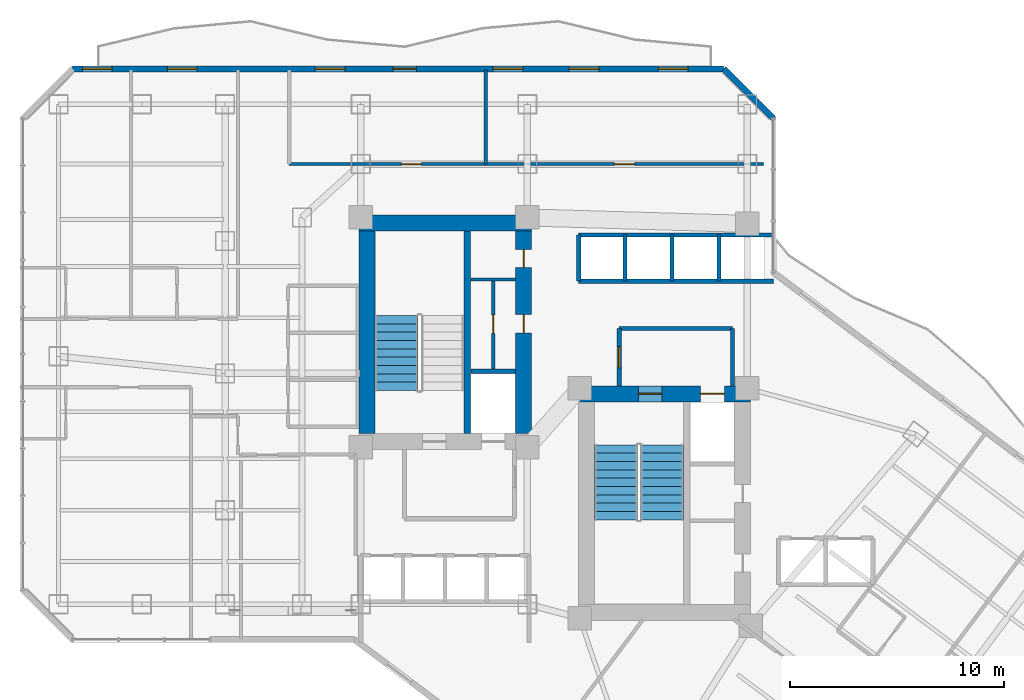
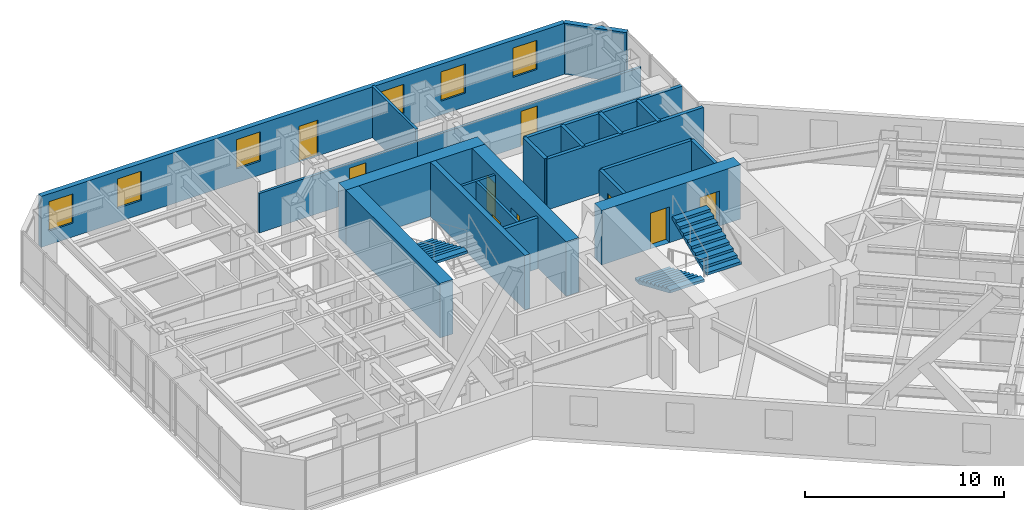
# One storey, part 25 of 30: 22 walls, 9 doors, 6 windows, 3 stair flights, 15 openings, 2 elements without a shape of their own.
"""IFC4 building model written with IfcOpenShell, lengths in metres."""

from ifc_helpers import new_model, si_unit, direction, frame, frame_2d, origin, place, context, subcontext, project, spatial, polyline, rectangle, outline, extrude, material, layer, layer_set, type_object, element, fill, aggregate, save


model = new_model("IFC4")

# Units and contexts
model_context = context("Model", 3, precision=1e-05, world=origin(), true_north=direction((0.0, 1.0)))
body_context = subcontext(model_context, "Body", "Model", "MODEL_VIEW")
ifc_project = project(units=[si_unit("LENGTHUNIT", "METRE"), si_unit("AREAUNIT", "SQUARE_METRE"), si_unit("VOLUMEUNIT", "CUBIC_METRE"), si_unit("PLANEANGLEUNIT", "RADIAN"), si_unit("MASSUNIT", "GRAM", prefix="KILO")], contexts=[model_context])

# Site, building, storey
site_placement = place(None, origin())
site = spatial("IfcSite", under=ifc_project, at=site_placement, CompositionType="ELEMENT")
building_placement = place(site_placement, origin())
building = spatial("IfcBuilding", under=site, at=building_placement, Name="Hatsunagi Terrace Concourse", CompositionType="ELEMENT")
storey_placement = place(building_placement, frame((0.0, 0.0, 74.60009765625)))
storey = spatial("IfcBuildingStorey", under=building, at=storey_placement, Name="L19", CompositionType="ELEMENT", Elevation=74.60009765625)

# Walls
ifc_material_1 = material(Name="Concrete Fc60", Category="concrete")
ifc_layer_1 = layer(ifc_material_1, 0.75)
ifc_layer_set_1 = layer_set([ifc_layer_1], Name="CoreShearWall_Fc60_750")
wall_type_1 = type_object("IfcWallType", Name="CoreShearWall_Fc60_750", PredefinedType="SHEAR", material=ifc_layer_set_1)
wall_1_placement = place(storey_placement, frame((25.469970703125, 43.044921875, 0.0), z_axis=(0.0, 0.0, 1.0), x_axis=(1.0, 0.0, 0.0)))
element("IfcWall", 1, at=wall_1_placement, inside=storey, type_object=wall_type_1, Name="Core A Shear Wall N L19", PredefinedType="SHEAR", context=body_context, shape_type="SweptSolid", body=[
    extrude(rectangle(XDim=8.080078125, YDim=0.75, at=frame_2d((4.0400390625, 0.0))), origin(), (0.0, 0.0, 1.0), 3.349853515625),
])
wall_2_placement = place(storey_placement, frame((25.844970703125, 33.18994140625, 0.0), z_axis=(0.0, 0.0, 1.0), x_axis=(0.0, 1.0, 0.0)))
element("IfcWall", 2, at=wall_2_placement, inside=storey, type_object=wall_type_1, Name="Core A Shear Wall W L19", PredefinedType="SHEAR", context=body_context, shape_type="SweptSolid", body=[
    extrude(rectangle(XDim=9.47998046875, YDim=0.75, at=frame_2d((4.739990234375, 0.0))), origin(), (0.0, 0.0, 1.0), 3.349853515625),
])

# Wall, openings, doors
wall_3_placement = place(storey_placement, frame((33.175048828125, 33.18994140625, 0.0), z_axis=(0.0, 0.0, 1.0), x_axis=(0.0, 1.0, 0.0)))
wall_3 = element("IfcWall", 3, at=wall_3_placement, inside=storey, type_object=wall_type_1, Name="Core A Shear Wall E L19", PredefinedType="SHEAR", context=body_context, shape_type="SweptSolid", body=[
    extrude(rectangle(XDim=9.47998046875, YDim=0.75, at=frame_2d((4.739990234375, 0.0))), origin(), (0.0, 0.0, 1.0), 3.349853515625),
])
opening_1_placement = place(wall_3_placement, frame((4.7099609375, 0.0, 0.0)))
opening_1 = element("IfcOpeningElement", 4, at=opening_1_placement, cuts=wall_3, Name="Opening DR-085", PredefinedType="OPENING", context=body_context, shape_type="SweptSolid", body=[
    extrude(rectangle(XDim=0.85009765625, YDim=2.080078125, at=frame_2d((0.425048828125, 1.0400390625))), frame((0.0, 0.385009765625, 0.0), z_axis=(0.0, -1.0, 0.0), x_axis=(1.0, 0.0, 0.0)), (0.0, 0.0, 1.0), 0.77001953125),
])
opening_2_placement = place(wall_3_placement, frame((7.760009765625, 0.0, 0.0)))
opening_2 = element("IfcOpeningElement", 5, at=opening_2_placement, cuts=wall_3, Name="Opening DR-085", PredefinedType="OPENING", context=body_context, shape_type="SweptSolid", body=[
    extrude(rectangle(XDim=0.85009765625, YDim=2.080078125, at=frame_2d((0.425048828125, 1.0400390625))), frame((0.0, 0.385009765625, 0.0), z_axis=(0.0, -1.0, 0.0), x_axis=(1.0, 0.0, 0.0)), (0.0, 0.0, 1.0), 0.77001953125),
])
ifc_material_2 = material(Name="Painted steel", Category="steel")
door_type_1 = type_object("IfcDoorType", Name="RiserAccessDoor_EI60_850", OperationType="NOTDEFINED", PredefinedType="DOOR", material=ifc_material_2)
door_1_placement = place(opening_1_placement, origin())
door_1 = element("IfcDoor", 6, at=door_1_placement, inside=storey, type_object=door_type_1, Name="Core A Riser Door L19-1", OperationType="SINGLE_SWING_LEFT", OverallHeight=2.080078125, OverallWidth=0.85009765625, PredefinedType="DOOR", context=body_context, shape_type="SweptSolid", body=[
    extrude(rectangle(XDim=0.85009765625, YDim=2.080078125, at=frame_2d((0.425048828125, 1.0400390625))), frame((0.0, 0.02490234375, 0.0), z_axis=(0.0, -1.0, 0.0), x_axis=(1.0, 0.0, 0.0)), (0.0, 0.0, 1.0), 0.050048828125),
])
fill(opening_1, door_1)
door_2_placement = place(opening_2_placement, origin())
door_2 = element("IfcDoor", 7, at=door_2_placement, inside=storey, type_object=door_type_1, Name="Core A Riser Door L19-2", OperationType="SINGLE_SWING_LEFT", OverallHeight=2.080078125, OverallWidth=0.85009765625, PredefinedType="DOOR", context=body_context, shape_type="SweptSolid", body=[
    extrude(rectangle(XDim=0.85009765625, YDim=2.080078125, at=frame_2d((0.425048828125, 1.0400390625))), frame((0.0, 0.02490234375, 0.0), z_axis=(0.0, -1.0, 0.0), x_axis=(1.0, 0.0, 0.0)), (0.0, 0.0, 1.0), 0.050048828125),
])
fill(opening_2, door_2)

wall_4_placement = place(storey_placement, frame((35.739990234375, 35.044921875, 0.0), z_axis=(0.0, 0.0, 1.0), x_axis=(1.0, 0.0, 0.0)))
wall_4 = element("IfcWall", 8, at=wall_4_placement, inside=storey, type_object=wall_type_1, Name="Core B Shear Wall N L19", PredefinedType="SHEAR", context=body_context, shape_type="SweptSolid", body=[
    extrude(rectangle(XDim=8.06005859375, YDim=0.75, at=frame_2d((4.030029296875, 0.0))), origin(), (0.0, 0.0, 1.0), 3.349853515625),
])
opening_3_placement = place(wall_4_placement, frame((2.81005859375, 0.0, 0.0)))
opening_3 = element("IfcOpeningElement", 9, at=opening_3_placement, cuts=wall_4, Name="Opening DR-110S", PredefinedType="OPENING", context=body_context, shape_type="SweptSolid", body=[
    extrude(rectangle(XDim=1.10009765625, YDim=2.199951171875, at=frame_2d((0.550048828125, 1.10009765625))), frame((0.0, 0.385009765625, 0.0), z_axis=(0.0, -1.0, 0.0), x_axis=(1.0, 0.0, 0.0)), (0.0, 0.0, 1.0), 0.77001953125),
])
opening_4_placement = place(wall_4_placement, frame((5.7099609375, 0.0, 0.0)))
opening_4 = element("IfcOpeningElement", 10, at=opening_4_placement, cuts=wall_4, Name="Opening LD-02", PredefinedType="OPENING", context=body_context, shape_type="SweptSolid", body=[
    extrude(rectangle(XDim=1.1201171875, YDim=2.14990234375, at=frame_2d((0.56005859375, 1.074951171875))), frame((0.0, 0.385009765625, 0.0), z_axis=(0.0, -1.0, 0.0), x_axis=(1.0, 0.0, 0.0)), (0.0, 0.0, 1.0), 0.77001953125),
])
ifc_material_3 = material(Name="Stainless steel", Category="steel")
door_type_2 = type_object("IfcDoorType", Name="LiftLandingDoor_LD02", OperationType="SLIDING_TO_RIGHT", PredefinedType="USERDEFINED", material=ifc_material_3)
door_3_placement = place(opening_4_placement, origin())
door_3 = element("IfcDoor", 11, at=door_3_placement, inside=storey, type_object=door_type_2, Name="Lift landing door FF-02 L19", ObjectType="SLIDING_LANDING_DOOR", OperationType="SLIDING_TO_RIGHT", OverallHeight=2.14990234375, OverallWidth=1.1201171875, PredefinedType="USERDEFINED", context=body_context, shape_type="SweptSolid", body=[
    extrude(rectangle(XDim=1.1201171875, YDim=2.14990234375, at=frame_2d((0.56005859375, 1.074951171875))), frame((0.0, 0.02490234375, 0.0), z_axis=(0.0, -1.0, 0.0), x_axis=(1.0, 0.0, 0.0)), (0.0, 0.0, 1.0), 0.050048828125),
])
fill(opening_4, door_3)
ifc_material_4 = material(Name="Painted steel", Category="steel")
door_type_3 = type_object("IfcDoorType", Name="StairFireDoor_EI60_1100", OperationType="NOTDEFINED", PredefinedType="DOOR", material=ifc_material_4)
door_4_placement = place(opening_3_placement, origin())
door_4 = element("IfcDoor", 12, at=door_4_placement, inside=storey, type_object=door_type_3, Name="Stair ST-B Exit Door L19", OperationType="SINGLE_SWING_RIGHT", OverallHeight=2.199951171875, OverallWidth=1.10009765625, PredefinedType="DOOR", context=body_context, shape_type="SweptSolid", body=[
    extrude(rectangle(XDim=1.10009765625, YDim=2.199951171875, at=frame_2d((0.550048828125, 1.10009765625))), frame((0.0, 0.02490234375, 0.0), z_axis=(0.0, -1.0, 0.0), x_axis=(1.0, 0.0, 0.0)), (0.0, 0.0, 1.0), 0.050048828125),
])
fill(opening_3, door_4)

# Wall
ifc_material_5 = material(Name="Concrete Fc48", Category="concrete")
ifc_layer_2 = layer(ifc_material_5, 0.300048828125)
ifc_layer_set_2 = layer_set([ifc_layer_2], Name="CoreStairDivider_Fc48_300")
wall_type_2 = type_object("IfcWallType", Name="CoreStairDivider_Fc48_300", PredefinedType="SHEAR", material=ifc_layer_set_2)
wall_5_placement = place(storey_placement, frame((30.5400390625, 33.18994140625, 0.0), z_axis=(0.0, 0.0, 1.0), x_axis=(0.0, 1.0, 0.0)))
element("IfcWall", 13, at=wall_5_placement, inside=storey, type_object=wall_type_2, Name="Core A Shear Wall D L19", PredefinedType="SHEAR", context=body_context, shape_type="SweptSolid", body=[
    extrude(rectangle(XDim=9.47998046875, YDim=0.300048828125, at=frame_2d((4.739990234375, 0.0))), origin(), (0.0, 0.0, 1.0), 3.349853515625),
])

# Wall, opening, door
ifc_material_6 = material(Name="Acoustic mineral board", Category="gypsum")
ifc_layer_3 = layer(ifc_material_6, 0.14990234375)
ifc_layer_set_3 = layer_set([ifc_layer_3], Name="PartitionWall_EI60_150")
wall_type_3 = type_object("IfcWallType", Name="PartitionWall_EI60_150", PredefinedType="PARTITIONING", material=ifc_layer_set_3)
wall_6_placement = place(storey_placement, frame((31.75, 36.179931640625, 0.0), z_axis=(0.0, 0.0, 1.0), x_axis=(0.0, 1.0, 0.0)))
wall_6 = element("IfcWall", 14, at=wall_6_placement, inside=storey, type_object=wall_type_3, Name="Interior Partition IW-L19-002", PredefinedType="PARTITIONING", context=body_context, shape_type="SweptSolid", body=[
    extrude(rectangle(XDim=4.239990234375, YDim=0.14990234375, at=frame_2d((2.1201171875, 0.0))), origin(), (0.0, 0.0, 1.0), 3.1298828125),
])
opening_5_placement = place(wall_6_placement, frame((1.695068359375, 0.0, 0.0)))
opening_5 = element("IfcOpeningElement", 15, at=opening_5_placement, cuts=wall_6, Name="Opening DR-085", PredefinedType="OPENING", context=body_context, shape_type="SweptSolid", body=[
    extrude(rectangle(XDim=0.85009765625, YDim=2.080078125, at=frame_2d((0.425048828125, 1.0400390625))), frame((0.0, 0.0849609375, 0.0), z_axis=(0.0, -1.0, 0.0), x_axis=(1.0, 0.0, 0.0)), (0.0, 0.0, 1.0), 0.169921875),
])
door_5_placement = place(opening_5_placement, origin())
door_5 = element("IfcDoor", 16, at=door_5_placement, inside=storey, type_object=door_type_1, Name="Core A Sub-Riser Door L19", OperationType="SINGLE_SWING_LEFT", OverallHeight=2.080078125, OverallWidth=0.85009765625, PredefinedType="DOOR", context=body_context, shape_type="SweptSolid", body=[
    extrude(rectangle(XDim=0.85009765625, YDim=2.080078125, at=frame_2d((0.425048828125, 1.0400390625))), frame((0.0, 0.02490234375, 0.0), z_axis=(0.0, -1.0, 0.0), x_axis=(1.0, 0.0, 0.0)), (0.0, 0.0, 1.0), 0.050048828125),
])
fill(opening_5, door_5)

# Wall
wall_7_placement = place(storey_placement, frame((30.699951171875, 40.39990234375, 0.0), z_axis=(0.0, 0.0, 1.0), x_axis=(1.0, 0.0, 0.0)))
element("IfcWall", 17, at=wall_7_placement, inside=storey, type_object=wall_type_3, Name="Interior Partition IW-L19-003", PredefinedType="PARTITIONING", context=body_context, shape_type="SweptSolid", body=[
    extrude(rectangle(XDim=2.10009765625, YDim=0.14990234375, at=frame_2d((1.050048828125, 0.0))), origin(), (0.0, 0.0, 1.0), 3.1298828125),
])

# Wall, opening, door
wall_8_placement = place(storey_placement, frame((22.199951171875, 45.800048828125, 0.0), z_axis=(0.0, 0.0, 1.0), x_axis=(1.0, 0.0, 0.0)))
wall_8 = element("IfcWall", 18, at=wall_8_placement, inside=storey, type_object=wall_type_3, Name="Interior Partition IW-L19-038", PredefinedType="PARTITIONING", context=body_context, shape_type="SweptSolid", body=[
    extrude(rectangle(XDim=9.199951171875, YDim=0.14990234375, at=frame_2d((4.60009765625, 0.0))), origin(), (0.0, 0.0, 1.0), 2.4248046875),
])
opening_6_placement = place(wall_8_placement, frame((5.248046875, 0.0, 0.0)))
opening_6 = element("IfcOpeningElement", 19, at=opening_6_placement, cuts=wall_8, Name="Opening DR-095", PredefinedType="OPENING", context=body_context, shape_type="SweptSolid", body=[
    extrude(rectangle(XDim=0.949951171875, YDim=2.14990234375, at=frame_2d((0.47509765625, 1.074951171875))), frame((0.0, 0.0849609375, 0.0), z_axis=(0.0, -1.0, 0.0), x_axis=(1.0, 0.0, 0.0)), (0.0, 0.0, 1.0), 0.169921875),
])
ifc_material_7 = material(Name="Hardwood timber", Category="wood")
door_type_4 = type_object("IfcDoorType", Name="InteriorSuiteDoor_EI30_950", OperationType="NOTDEFINED", PredefinedType="DOOR", material=ifc_material_7)
door_6_placement = place(opening_6_placement, origin())
door_6 = element("IfcDoor", 20, at=door_6_placement, inside=storey, type_object=door_type_4, Name="Housekeeping Linen Room L19-HLIN Door", OperationType="SINGLE_SWING_LEFT", OverallHeight=2.14990234375, OverallWidth=0.949951171875, PredefinedType="DOOR", context=body_context, shape_type="SweptSolid", body=[
    extrude(rectangle(XDim=0.949951171875, YDim=2.14990234375, at=frame_2d((0.47509765625, 1.074951171875))), frame((0.0, 0.02490234375, 0.0), z_axis=(0.0, -1.0, 0.0), x_axis=(1.0, 0.0, 0.0)), (0.0, 0.0, 1.0), 0.050048828125),
])
fill(opening_6, door_6)

# Wall
wall_9_placement = place(storey_placement, frame((31.39990234375, 45.800048828125, 0.0), z_axis=(0.0, 0.0, 1.0), x_axis=(0.0, 1.0, 0.0)))
element("IfcWall", 21, at=wall_9_placement, inside=storey, type_object=wall_type_3, Name="Interior Partition IW-L19-040", PredefinedType="PARTITIONING", context=body_context, shape_type="SweptSolid", body=[
    extrude(rectangle(XDim=4.39990234375, YDim=0.14990234375, at=frame_2d((2.199951171875, 0.0))), origin(), (0.0, 0.0, 1.0), 3.1298828125),
])

# Wall, opening, door
wall_10_placement = place(storey_placement, frame((31.39990234375, 45.800048828125, 0.0), z_axis=(0.0, 0.0, 1.0), x_axis=(1.0, 0.0, 0.0)))
wall_10 = element("IfcWall", 22, at=wall_10_placement, inside=storey, type_object=wall_type_3, Name="Interior Partition IW-L19-041", PredefinedType="PARTITIONING", context=body_context, shape_type="SweptSolid", body=[
    extrude(rectangle(XDim=13.0, YDim=0.14990234375, at=frame_2d((6.5, 0.0))), origin(), (0.0, 0.0, 1.0), 2.4248046875),
])
opening_7_placement = place(wall_10_placement, frame((6.02490234375, 0.0, 0.0)))
opening_7 = element("IfcOpeningElement", 23, at=opening_7_placement, cuts=wall_10, Name="Opening DR-095", PredefinedType="OPENING", context=body_context, shape_type="SweptSolid", body=[
    extrude(rectangle(XDim=0.949951171875, YDim=2.14990234375, at=frame_2d((0.47509765625, 1.074951171875))), frame((0.0, 0.0849609375, 0.0), z_axis=(0.0, -1.0, 0.0), x_axis=(1.0, 0.0, 0.0)), (0.0, 0.0, 1.0), 0.169921875),
])
door_7_placement = place(opening_7_placement, origin())
door_7 = element("IfcDoor", 24, at=door_7_placement, inside=storey, type_object=door_type_4, Name="VIP Lounge L19-HLNG Door", OperationType="SINGLE_SWING_LEFT", OverallHeight=2.14990234375, OverallWidth=0.949951171875, PredefinedType="DOOR", context=body_context, shape_type="SweptSolid", body=[
    extrude(rectangle(XDim=0.949951171875, YDim=2.14990234375, at=frame_2d((0.47509765625, 1.074951171875))), frame((0.0, 0.02490234375, 0.0), z_axis=(0.0, -1.0, 0.0), x_axis=(1.0, 0.0, 0.0)), (0.0, 0.0, 1.0), 0.050048828125),
])
fill(opening_7, door_7)

# Walls
ifc_material_8 = material(Name="Acoustic mineral board", Category="gypsum")
ifc_layer_4 = layer(ifc_material_8, 0.199951171875)
ifc_layer_set_4 = layer_set([ifc_layer_4], Name="ShaftWall_EI120_200")
wall_type_4 = type_object("IfcWallType", Name="ShaftWall_EI120_200", PredefinedType="STANDARD", material=ifc_layer_set_4)
wall_11_placement = place(storey_placement, frame((30.699951171875, 36.10009765625, 0.0), z_axis=(0.0, 0.0, 1.0), x_axis=(1.0, 0.0, 0.0)))
element("IfcWall", 25, at=wall_11_placement, inside=storey, type_object=wall_type_4, Name="Interior Partition IW-L19-001", PredefinedType="STANDARD", context=body_context, shape_type="SweptSolid", body=[
    extrude(rectangle(XDim=2.10009765625, YDim=0.199951171875, at=frame_2d((1.050048828125, 0.0))), origin(), (0.0, 0.0, 1.0), 3.1298828125),
])
wall_12_placement = place(storey_placement, frame((37.64990234375, 38.10009765625, 0.0), z_axis=(0.0, 0.0, 1.0), x_axis=(1.0, 0.0, 0.0)))
element("IfcWall", 26, at=wall_12_placement, inside=storey, type_object=wall_type_4, Name="Interior Partition IW-L19-009", PredefinedType="STANDARD", context=body_context, shape_type="SweptSolid", body=[
    extrude(rectangle(XDim=5.300048828125, YDim=0.199951171875, at=frame_2d((2.64990234375, 0.0))), origin(), (0.0, 0.0, 1.0), 3.1298828125),
])
wall_13_placement = place(storey_placement, frame((42.949951171875, 35.419921875, 0.0), z_axis=(0.0, 0.0, 1.0), x_axis=(0.0, 1.0, 0.0)))
element("IfcWall", 27, at=wall_13_placement, inside=storey, type_object=wall_type_4, Name="Interior Partition IW-L19-010", PredefinedType="STANDARD", context=body_context, shape_type="SweptSolid", body=[
    extrude(rectangle(XDim=2.68017578125, YDim=0.199951171875, at=frame_2d((1.340087890625, 0.0))), origin(), (0.0, 0.0, 1.0), 3.1298828125),
])

# Wall, opening, door
wall_14_placement = place(storey_placement, frame((37.64990234375, 35.419921875, 0.0), z_axis=(0.0, 0.0, 1.0), x_axis=(0.0, 1.0, 0.0)))
wall_14 = element("IfcWall", 28, at=wall_14_placement, inside=storey, type_object=wall_type_4, Name="Interior Partition IW-L19-011", PredefinedType="STANDARD", context=body_context, shape_type="SweptSolid", body=[
    extrude(rectangle(XDim=2.68017578125, YDim=0.199951171875, at=frame_2d((1.340087890625, 0.0))), origin(), (0.0, 0.0, 1.0), 3.1298828125),
])
opening_8_placement = place(wall_14_placement, frame((0.840087890625, 0.0, 0.0)))
opening_8 = element("IfcOpeningElement", 29, at=opening_8_placement, cuts=wall_14, Name="Opening DR-100F", PredefinedType="OPENING", context=body_context, shape_type="SweptSolid", body=[
    extrude(rectangle(XDim=1.0, YDim=2.199951171875, at=frame_2d((0.5, 1.10009765625))), frame((0.0, 0.10986328125, 0.0), z_axis=(0.0, -1.0, 0.0), x_axis=(1.0, 0.0, 0.0)), (0.0, 0.0, 1.0), 0.219970703125),
])
ifc_material_9 = material(Name="Painted steel", Category="steel")
door_type_5 = type_object("IfcDoorType", Name="FireDoor_EI60_1000", OperationType="NOTDEFINED", PredefinedType="DOOR", material=ifc_material_9)
door_8_placement = place(opening_8_placement, origin())
door_8 = element("IfcDoor", 30, at=door_8_placement, inside=storey, type_object=door_type_5, Name="Firefighting Lobby B Door L19", OperationType="SINGLE_SWING_RIGHT", OverallHeight=2.199951171875, OverallWidth=1.0, PredefinedType="DOOR", context=body_context, shape_type="SweptSolid", body=[
    extrude(rectangle(XDim=1.0, YDim=2.199951171875, at=frame_2d((0.5, 1.10009765625))), frame((0.0, 0.02490234375, 0.0), z_axis=(0.0, -1.0, 0.0), x_axis=(1.0, 0.0, 0.0)), (0.0, 0.0, 1.0), 0.050048828125),
])
fill(opening_8, door_8)

# Walls
wall_15_placement = place(storey_placement, frame((35.75, 42.47998046875, 0.0), z_axis=(0.0, 0.0, 1.0), x_axis=(1.0, 0.0, 0.0)))
element("IfcWall", 31, at=wall_15_placement, inside=storey, type_object=wall_type_4, Name="Interior Partition IW-L19-019", PredefinedType="STANDARD", context=body_context, shape_type="SweptSolid", body=[
    extrude(rectangle(XDim=9.110107421875, YDim=0.199951171875, at=frame_2d((4.55517578125, 0.0))), origin(), (0.0, 0.0, 1.0), 3.1298828125),
])
for number, where, z_axis, x_axis, name in (
    (32, (35.75, 40.320068359375, 0.0), (0.0, 0.0, 1.0), (0.0, 1.0, 0.0), "Interior Partition IW-L19-020"),
    (33, (37.919921875, 40.320068359375, 0.0), (0.0, 0.0, 1.0), (0.0, 1.0, 0.0), "Interior Partition IW-L19-021"),
    (34, (40.1201171875, 40.320068359375, 0.0), (0.0, 0.0, 1.0), (0.0, 1.0, 0.0), "Interior Partition IW-L19-022"),
    (35, (42.320068359375, 40.320068359375, 0.0), (0.0, 0.0, 1.0), (0.0, 1.0, 0.0), "Interior Partition IW-L19-023"),
):
    element("IfcWall", number, at=place(storey_placement, frame(where, z_axis=z_axis, x_axis=x_axis)), inside=storey, type_object=wall_type_4, Name=name, PredefinedType="STANDARD", context=body_context, shape_type="SweptSolid", body=[
        extrude(rectangle(XDim=2.159912109375, YDim=0.199951171875, at=frame_2d((1.080078125, 0.0))), origin(), (0.0, 0.0, 1.0), 3.1298828125),
    ])
wall_16_placement = place(storey_placement, frame((35.75, 40.320068359375, 0.0), z_axis=(0.0, 0.0, 1.0), x_axis=(1.0, 0.0, 0.0)))
element("IfcWall", 36, at=wall_16_placement, inside=storey, type_object=wall_type_4, Name="Interior Partition IW-L19-024", PredefinedType="STANDARD", context=body_context, shape_type="SweptSolid", body=[
    extrude(rectangle(XDim=9.110107421875, YDim=0.199951171875, at=frame_2d((4.55517578125, 0.0))), origin(), (0.0, 0.0, 1.0), 3.1298828125),
])

# Wall, openings, door, windows
ifc_material_10 = material(Name="Autoclaved Lightweight Concrete and Terracotta Cladding", Category="masonry")
ifc_layer_5 = layer(ifc_material_10, 0.280029296875)
ifc_layer_set_5 = layer_set([ifc_layer_5], Name="TerracottaSpandrelWall_280")
wall_type_5 = type_object("IfcWallType", Name="TerracottaSpandrelWall_280", PredefinedType="STANDARD", material=ifc_layer_set_5)
wall_17_placement = place(storey_placement, frame((12.05810546875, 50.260009765625, 0.0), z_axis=(0.0, 0.0, 1.0), x_axis=(1.0, 0.0, 0.0)))
wall_17 = element("IfcWall", 37, at=wall_17_placement, inside=storey, type_object=wall_type_5, Name="Exterior Spandrel Wall EW-L19-11", PredefinedType="STANDARD", context=body_context, shape_type="SweptSolid", body=[
    extrude(rectangle(XDim=30.48388671875, YDim=0.280029296875, at=frame_2d((15.241943359375, 0.0))), origin(), (0.0, 0.0, 1.0), 3.1298828125),
])
opening_9_placement = place(wall_17_placement, frame((14.991943359375, 0.0, 0.0)))
opening_9 = element("IfcOpeningElement", 38, at=opening_9_placement, cuts=wall_17, Name="Opening BD-01", PredefinedType="OPENING", context=body_context, shape_type="SweptSolid", body=[
    extrude(rectangle(XDim=1.10009765625, YDim=2.199951171875, at=frame_2d((0.550048828125, 1.10009765625))), frame((0.0, 0.14990234375, 0.0), z_axis=(0.0, -1.0, 0.0), x_axis=(1.0, 0.0, 0.0)), (0.0, 0.0, 1.0), 0.300048828125),
])
opening_10_placement = place(wall_17_placement, frame((0.4599609375, 0.0, 0.85009765625)))
opening_10 = element("IfcOpeningElement", 39, at=opening_10_placement, cuts=wall_17, Name="Opening WIN-02", PredefinedType="OPENING", context=body_context, shape_type="SweptSolid", body=[
    extrude(rectangle(XDim=1.39990234375, YDim=1.800048828125, at=frame_2d((0.699951171875, 0.89990234375))), frame((0.0, 0.14990234375, 0.0), z_axis=(0.0, -1.0, 0.0), x_axis=(1.0, 0.0, 0.0)), (0.0, 0.0, 1.0), 0.300048828125),
])
opening_11_placement = place(wall_17_placement, frame((4.43505859375, 0.0, 0.85009765625)))
opening_11 = element("IfcOpeningElement", 40, at=opening_11_placement, cuts=wall_17, Name="Opening WIN-02", PredefinedType="OPENING", context=body_context, shape_type="SweptSolid", body=[
    extrude(rectangle(XDim=1.39990234375, YDim=1.800048828125, at=frame_2d((0.699951171875, 0.89990234375))), frame((0.0, 0.14990234375, 0.0), z_axis=(0.0, -1.0, 0.0), x_axis=(1.0, 0.0, 0.0)), (0.0, 0.0, 1.0), 0.300048828125),
])
opening_12_placement = place(wall_17_placement, frame((11.361083984375, 0.0, 0.85009765625)))
opening_12 = element("IfcOpeningElement", 41, at=opening_12_placement, cuts=wall_17, Name="Opening WIN-02", PredefinedType="OPENING", context=body_context, shape_type="SweptSolid", body=[
    extrude(rectangle(XDim=1.39990234375, YDim=1.800048828125, at=frame_2d((0.699951171875, 0.89990234375))), frame((0.0, 0.14990234375, 0.0), z_axis=(0.0, -1.0, 0.0), x_axis=(1.0, 0.0, 0.0)), (0.0, 0.0, 1.0), 0.300048828125),
])
opening_13_placement = place(wall_17_placement, frame((19.693115234375, 0.0, 0.85009765625)))
opening_13 = element("IfcOpeningElement", 42, at=opening_13_placement, cuts=wall_17, Name="Opening WIN-02", PredefinedType="OPENING", context=body_context, shape_type="SweptSolid", body=[
    extrude(rectangle(XDim=1.39990234375, YDim=1.800048828125, at=frame_2d((0.699951171875, 0.89990234375))), frame((0.0, 0.14990234375, 0.0), z_axis=(0.0, -1.0, 0.0), x_axis=(1.0, 0.0, 0.0)), (0.0, 0.0, 1.0), 0.300048828125),
])
opening_14_placement = place(wall_17_placement, frame((23.251953125, 0.0, 0.85009765625)))
opening_14 = element("IfcOpeningElement", 43, at=opening_14_placement, cuts=wall_17, Name="Opening WIN-02", PredefinedType="OPENING", context=body_context, shape_type="SweptSolid", body=[
    extrude(rectangle(XDim=1.39990234375, YDim=1.800048828125, at=frame_2d((0.699951171875, 0.89990234375))), frame((0.0, 0.14990234375, 0.0), z_axis=(0.0, -1.0, 0.0), x_axis=(1.0, 0.0, 0.0)), (0.0, 0.0, 1.0), 0.300048828125),
])
opening_15_placement = place(wall_17_placement, frame((27.4169921875, 0.0, 0.85009765625)))
opening_15 = element("IfcOpeningElement", 44, at=opening_15_placement, cuts=wall_17, Name="Opening WIN-02", PredefinedType="OPENING", context=body_context, shape_type="SweptSolid", body=[
    extrude(rectangle(XDim=1.39990234375, YDim=1.800048828125, at=frame_2d((0.699951171875, 0.89990234375))), frame((0.0, 0.14990234375, 0.0), z_axis=(0.0, -1.0, 0.0), x_axis=(1.0, 0.0, 0.0)), (0.0, 0.0, 1.0), 0.300048828125),
])
ifc_material_11 = material(Name="Galvanised Steel and Laminated Safety Glass", Category="steel")
door_type_6 = type_object("IfcDoorType", Name="BalconyTerraceAccessDoor_1100x2200", OperationType="SINGLE_SWING_LEFT", PredefinedType="DOOR", material=ifc_material_11)
door_9_placement = place(opening_9_placement, origin())
door_9 = element("IfcDoor", 45, at=door_9_placement, inside=storey, type_object=door_type_6, Name="Engawa Balcony Door L19-BN", OperationType="SINGLE_SWING_RIGHT", OverallHeight=2.199951171875, OverallWidth=1.10009765625, PredefinedType="DOOR", context=body_context, shape_type="SweptSolid", body=[
    extrude(rectangle(XDim=1.10009765625, YDim=2.199951171875, at=frame_2d((0.550048828125, 1.10009765625))), frame((0.0, 0.02490234375, 0.0), z_axis=(0.0, -1.0, 0.0), x_axis=(1.0, 0.0, 0.0)), (0.0, 0.0, 1.0), 0.050048828125),
])
fill(opening_9, door_9)
ifc_material_12 = material(Name="Thermally Broken Aluminium and Low-E Triple Glazing", Category="aluminium")
window_type = type_object("IfcWindowType", Name="HotelOperableVentWindow_1400x1800", PartitioningType="DOUBLE_PANEL_VERTICAL", PredefinedType="WINDOW", material=ifc_material_12)
window_1_placement = place(opening_10_placement, origin())
window_1 = element("IfcWindow", 46, at=window_1_placement, inside=storey, type_object=window_type, Name="Balcony Daylighting Window L19-11-1", OverallHeight=1.800048828125, OverallWidth=1.39990234375, PartitioningType="SINGLE_PANEL", PredefinedType="WINDOW", context=body_context, shape_type="SweptSolid", body=[
    extrude(rectangle(XDim=1.39990234375, YDim=1.800048828125, at=frame_2d((0.699951171875, 0.89990234375))), frame((0.0, 0.030029296875, 0.0), z_axis=(0.0, -1.0, 0.0), x_axis=(1.0, 0.0, 0.0)), (0.0, 0.0, 1.0), 0.06005859375),
])
fill(opening_10, window_1)
window_2_placement = place(opening_11_placement, origin())
window_2 = element("IfcWindow", 47, at=window_2_placement, inside=storey, type_object=window_type, Name="Balcony Daylighting Window L19-11-2", OverallHeight=1.800048828125, OverallWidth=1.39990234375, PartitioningType="SINGLE_PANEL", PredefinedType="WINDOW", context=body_context, shape_type="SweptSolid", body=[
    extrude(rectangle(XDim=1.39990234375, YDim=1.800048828125, at=frame_2d((0.699951171875, 0.89990234375))), frame((0.0, 0.030029296875, 0.0), z_axis=(0.0, -1.0, 0.0), x_axis=(1.0, 0.0, 0.0)), (0.0, 0.0, 1.0), 0.06005859375),
])
fill(opening_11, window_2)
window_3_placement = place(opening_12_placement, origin())
window_3 = element("IfcWindow", 48, at=window_3_placement, inside=storey, type_object=window_type, Name="Balcony Daylighting Window L19-11-3", OverallHeight=1.800048828125, OverallWidth=1.39990234375, PartitioningType="SINGLE_PANEL", PredefinedType="WINDOW", context=body_context, shape_type="SweptSolid", body=[
    extrude(rectangle(XDim=1.39990234375, YDim=1.800048828125, at=frame_2d((0.699951171875, 0.89990234375))), frame((0.0, 0.030029296875, 0.0), z_axis=(0.0, -1.0, 0.0), x_axis=(1.0, 0.0, 0.0)), (0.0, 0.0, 1.0), 0.06005859375),
])
fill(opening_12, window_3)
window_4_placement = place(opening_13_placement, origin())
window_4 = element("IfcWindow", 49, at=window_4_placement, inside=storey, type_object=window_type, Name="Balcony Daylighting Window L19-11-5", OverallHeight=1.800048828125, OverallWidth=1.39990234375, PartitioningType="SINGLE_PANEL", PredefinedType="WINDOW", context=body_context, shape_type="SweptSolid", body=[
    extrude(rectangle(XDim=1.39990234375, YDim=1.800048828125, at=frame_2d((0.699951171875, 0.89990234375))), frame((0.0, 0.030029296875, 0.0), z_axis=(0.0, -1.0, 0.0), x_axis=(1.0, 0.0, 0.0)), (0.0, 0.0, 1.0), 0.06005859375),
])
fill(opening_13, window_4)
window_5_placement = place(opening_14_placement, origin())
window_5 = element("IfcWindow", 50, at=window_5_placement, inside=storey, type_object=window_type, Name="Balcony Daylighting Window L19-11-6", OverallHeight=1.800048828125, OverallWidth=1.39990234375, PartitioningType="SINGLE_PANEL", PredefinedType="WINDOW", context=body_context, shape_type="SweptSolid", body=[
    extrude(rectangle(XDim=1.39990234375, YDim=1.800048828125, at=frame_2d((0.699951171875, 0.89990234375))), frame((0.0, 0.030029296875, 0.0), z_axis=(0.0, -1.0, 0.0), x_axis=(1.0, 0.0, 0.0)), (0.0, 0.0, 1.0), 0.06005859375),
])
fill(opening_14, window_5)
window_6_placement = place(opening_15_placement, origin())
window_6 = element("IfcWindow", 51, at=window_6_placement, inside=storey, type_object=window_type, Name="Balcony Daylighting Window L19-11-7", OverallHeight=1.800048828125, OverallWidth=1.39990234375, PartitioningType="SINGLE_PANEL", PredefinedType="WINDOW", context=body_context, shape_type="SweptSolid", body=[
    extrude(rectangle(XDim=1.39990234375, YDim=1.800048828125, at=frame_2d((0.699951171875, 0.89990234375))), frame((0.0, 0.030029296875, 0.0), z_axis=(0.0, -1.0, 0.0), x_axis=(1.0, 0.0, 0.0)), (0.0, 0.0, 1.0), 0.06005859375),
])
fill(opening_15, window_6)

# Wall
wall_18_placement = place(storey_placement, frame((42.5419921875, 50.260009765625, 0.0), z_axis=(0.0, 0.0, 1.0), x_axis=(0.707106781187, -0.707106781187, 0.0)))
element("IfcWall", 52, at=wall_18_placement, inside=storey, type_object=wall_type_5, Name="Exterior Spandrel Wall EW-L19-12", PredefinedType="STANDARD", context=body_context, shape_type="SweptSolid", body=[
    extrude(rectangle(XDim=3.2783203125, YDim=0.280029296875, at=frame_2d((1.63916015625, 0.0))), origin(), (0.0, 0.0, 1.0), 3.1298828125),
])

# Stair, stair flight
ifc_material_13 = material(Name="Concrete Fc42", Category="concrete")
stair_type = type_object("IfcStairType", Name="DoglegExitStair_Tower2000_20R_168", PredefinedType="HALF_TURN_STAIR", material=ifc_material_13)
stair_1_placement = place(storey_placement, origin())
stair_1 = element("IfcStair", 53, at=stair_1_placement, inside=storey, type_object=stair_type, Name="L19 Core A Protected Exit Stair ST-A", PredefinedType="HALF_TURN_STAIR")
ifc_material_14 = material(Name="Concrete Fc42", Category="concrete")
stair_flight_type = type_object("IfcStairFlightType", Name="DoglegStairFlight_Tower2000_20R_168", PredefinedType="STRAIGHT", material=ifc_material_14)
stair_flight_1_placement = place(storey_placement, frame((27.22998046875, 38.7099609375, 1.6748046875), z_axis=(0.0, 0.0, 1.0), x_axis=(0.0, -1.0, 0.0)))
stair_flight_1 = element("IfcStairFlight", 54, at=stair_flight_1_placement, type_object=stair_flight_type, Name="ST-A flight 2", NumberOfRisers=10, NumberOfTreads=9, PredefinedType="STRAIGHT", RiserHeight=0.1675, TreadLength=0.39, context=body_context, shape_type="SweptSolid", body=[
    extrude(outline(polyline([(0.0, 0.0), (0.0, 0.16748046875), (0.389892578125, 0.16748046875), (0.389892578125, 0.3349609375), (0.780029296875, 0.3349609375), (0.780029296875, 0.50244140625), (1.169921875, 0.50244140625), (1.169921875, 0.669921875), (1.56005859375, 0.669921875), (1.56005859375, 0.83740234375), (1.949951171875, 0.83740234375), (1.949951171875, 1.0048828125), (2.340087890625, 1.0048828125), (2.340087890625, 1.172607421875), (2.72998046875, 1.172607421875), (2.72998046875, 1.340087890625), (3.1201171875, 1.340087890625), (3.1201171875, 1.507568359375), (3.510009765625, 1.507568359375), (3.510009765625, 1.675048828125), (3.510009765625, 1.34423828125), (0.3798828125, 0.0), (0.0, 0.0)])), frame((0.0, 1.0, 0.0), z_axis=(0.0, -1.0, 0.0), x_axis=(1.0, 0.0, 0.0)), (0.0, 0.0, 1.0), 2.0),
])
aggregate(stair_1, [stair_flight_1])

# Stair, stair flights
stair_2_placement = place(storey_placement, origin())
stair_2 = element("IfcStair", 55, at=stair_2_placement, inside=storey, type_object=stair_type, Name="L19 Core B Protected Exit Stair ST-B", PredefinedType="HALF_TURN_STAIR")
stair_flight_2_placement = place(storey_placement, frame((37.5, 32.659912109375, 0.0), z_axis=(0.0, 0.0, 1.0), x_axis=(0.0, -1.0, 0.0)))
stair_flight_2 = element("IfcStairFlight", 56, at=stair_flight_2_placement, type_object=stair_flight_type, Name="ST-B flight 1", NumberOfRisers=10, NumberOfTreads=9, PredefinedType="STRAIGHT", RiserHeight=0.1675, TreadLength=0.39, context=body_context, shape_type="SweptSolid", body=[
    extrude(outline(polyline([(0.0, 0.0), (0.0, 0.16748046875), (0.389892578125, 0.16748046875), (0.389892578125, 0.3349609375), (0.780029296875, 0.3349609375), (0.780029296875, 0.50244140625), (1.169921875, 0.50244140625), (1.169921875, 0.669921875), (1.56005859375, 0.669921875), (1.56005859375, 0.83740234375), (1.949951171875, 0.83740234375), (1.949951171875, 1.0048828125), (2.340087890625, 1.0048828125), (2.340087890625, 1.172607421875), (2.72998046875, 1.172607421875), (2.72998046875, 1.340087890625), (3.1201171875, 1.340087890625), (3.1201171875, 1.507568359375), (3.510009765625, 1.507568359375), (3.510009765625, 1.675048828125), (3.510009765625, 1.34423828125), (0.3798828125, 0.0), (0.0, 0.0)])), frame((0.0, 1.0, 0.0), z_axis=(0.0, -1.0, 0.0), x_axis=(1.0, 0.0, 0.0)), (0.0, 0.0, 1.0), 2.0),
])
stair_flight_3_placement = place(storey_placement, frame((39.64990234375, 29.14990234375, 1.6748046875), z_axis=(0.0, 0.0, 1.0), x_axis=(0.0, 1.0, 0.0)))
stair_flight_3 = element("IfcStairFlight", 57, at=stair_flight_3_placement, type_object=stair_flight_type, Name="ST-B flight 2", NumberOfRisers=10, NumberOfTreads=9, PredefinedType="STRAIGHT", RiserHeight=0.1675, TreadLength=0.39, context=body_context, shape_type="SweptSolid", body=[
    extrude(outline(polyline([(0.0, 0.0), (0.0, 0.16748046875), (0.389892578125, 0.16748046875), (0.389892578125, 0.3349609375), (0.780029296875, 0.3349609375), (0.780029296875, 0.50244140625), (1.169921875, 0.50244140625), (1.169921875, 0.669921875), (1.56005859375, 0.669921875), (1.56005859375, 0.83740234375), (1.949951171875, 0.83740234375), (1.949951171875, 1.0048828125), (2.340087890625, 1.0048828125), (2.340087890625, 1.172607421875), (2.72998046875, 1.172607421875), (2.72998046875, 1.340087890625), (3.1201171875, 1.340087890625), (3.1201171875, 1.507568359375), (3.510009765625, 1.507568359375), (3.510009765625, 1.675048828125), (3.510009765625, 1.34423828125), (0.3798828125, 0.0), (0.0, 0.0)])), frame((0.0, 1.0, 0.0), z_axis=(0.0, -1.0, 0.0), x_axis=(1.0, 0.0, 0.0)), (0.0, 0.0, 1.0), 2.0),
])
aggregate(stair_2, [stair_flight_2, stair_flight_3])

save(model, "model.ifc")
